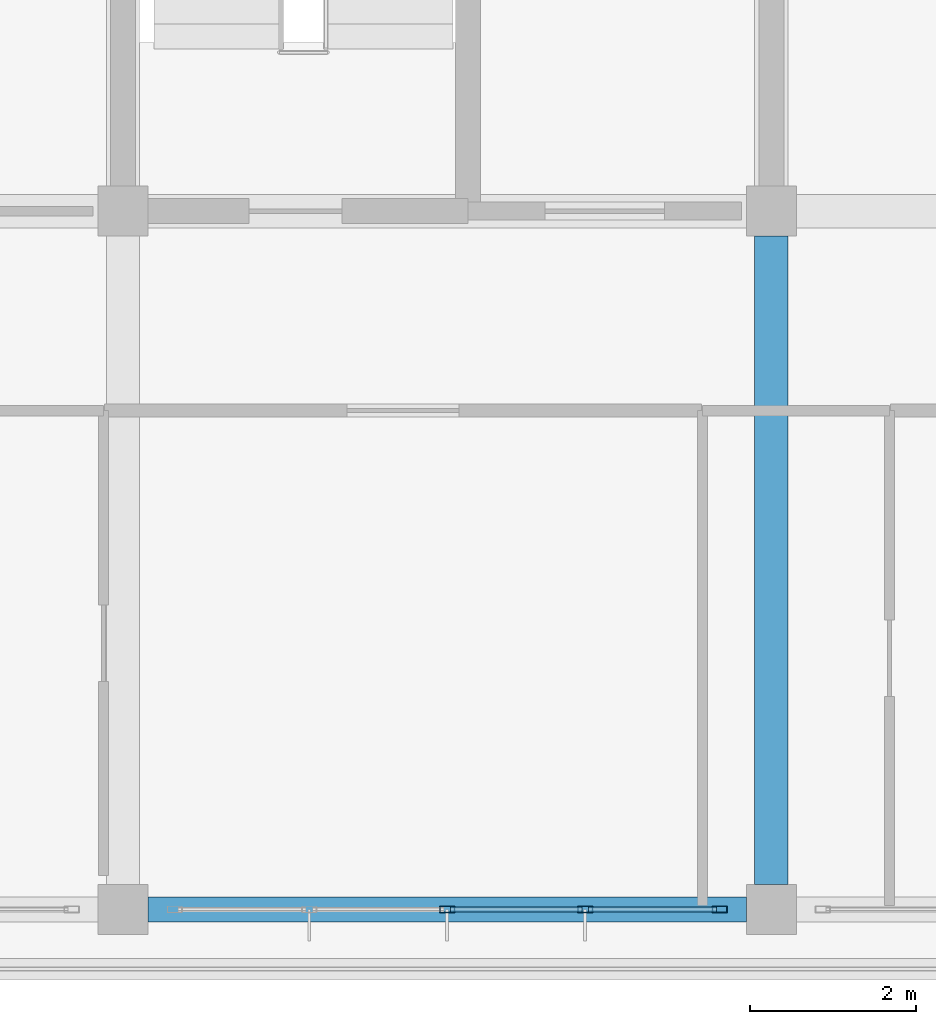
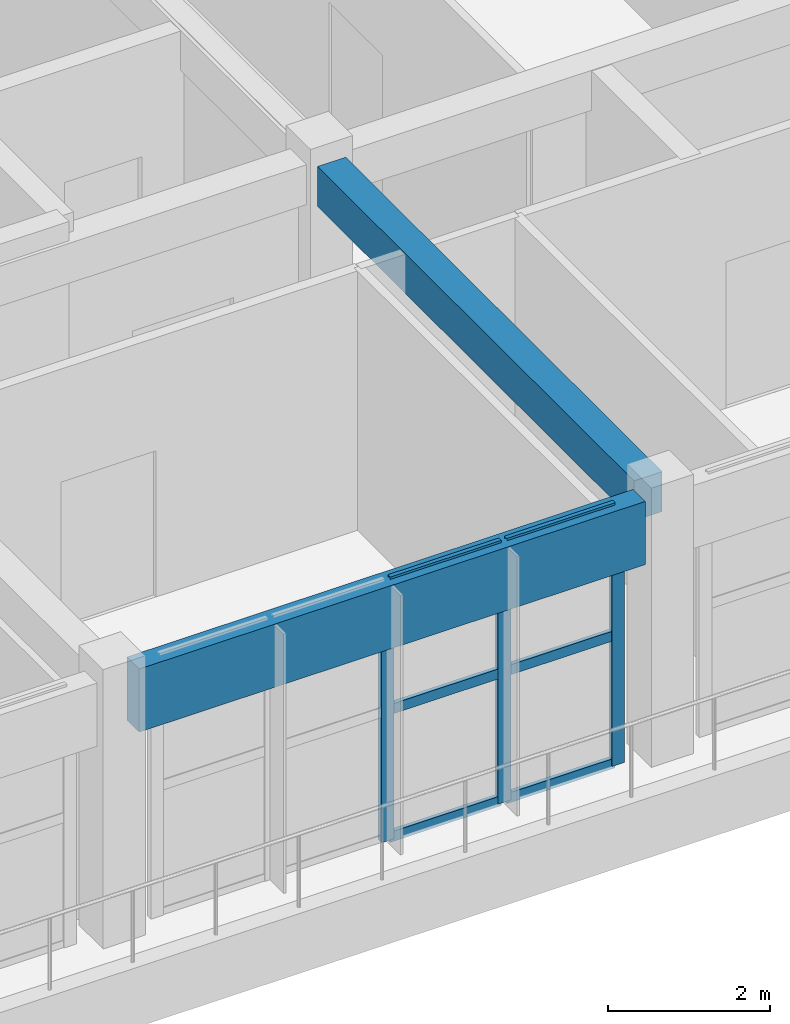
# One storey, part 12 of 50: 9 members, 2 beams, 1 element without a shape of its own.
"""IFC4 building model written with IfcOpenShell, lengths in metres."""

from ifc_helpers import new_model, si_unit, direction, frame, origin, origin_2d, place, context, subcontext, project, spatial, rectangle, hollow_rectangle, extrude, material, layer, layer_set, material_profile, profile_set, type_object, element, aggregate, save


model = new_model("IFC4")

# Units and contexts
model_context = context("Model", 3, precision=1e-05, world=origin(), true_north=direction((0.0, 1.0)))
body_context = subcontext(model_context, "Body", "Model", "MODEL_VIEW")
ifc_project = project(units=[si_unit("LENGTHUNIT", "METRE"), si_unit("AREAUNIT", "SQUARE_METRE"), si_unit("VOLUMEUNIT", "CUBIC_METRE"), si_unit("PLANEANGLEUNIT", "RADIAN"), si_unit("MASSUNIT", "GRAM", prefix="KILO")], contexts=[model_context])

# Site, building, storey
site_placement = place(None, origin())
site = spatial("IfcSite", under=ifc_project, at=site_placement, CompositionType="ELEMENT")
building_placement = place(site_placement, origin())
building = spatial("IfcBuilding", under=site, at=building_placement, Name="Zizhar Promenade General Hospital", CompositionType="ELEMENT")
storey_placement = place(building_placement, frame((0.0, 0.0, 30.60009765625)))
storey = spatial("IfcBuildingStorey", under=building, at=storey_placement, Name="L07", CompositionType="ELEMENT", Elevation=30.60009765625)

# Beams
ifc_material_1 = material(Name="Precast concrete C40/50", Category="concrete")
ifc_material_profile_1 = material_profile(ifc_material_1, rectangle(XDim=0.300048828125, YDim=0.949951171875, at=origin_2d()))
ifc_profile_set_1 = profile_set([ifc_material_profile_1], Name="Precast concrete C40/50")
beam_type_1 = type_object("IfcBeamType", Name="BM-PC-BAND950", PredefinedType="SPANDREL", material=ifc_profile_set_1)
beam_1_placement = place(storey_placement, frame((62.699951171875, 0.0, 3.434814453125), z_axis=(1.0, 0.0, 0.0), x_axis=(0.0, 1.0, 0.0)))
element("IfcBeam", 1, at=beam_1_placement, inside=storey, type_object=beam_type_1, Name="Grid Beam X L07 (8-0)", PredefinedType="SPANDREL", context=body_context, shape_type="SweptSolid", body=[
    extrude(rectangle(XDim=0.300048828125, YDim=0.949951171875, at=origin_2d()), origin(), (0.0, 0.0, 1.0), 7.199951171875),
])
ifc_material_2 = material(Name="Concrete C35/45", Category="concrete")
ifc_material_profile_2 = material_profile(ifc_material_2, rectangle(XDim=0.39990234375, YDim=0.60009765625, at=origin_2d()))
ifc_profile_set_2 = profile_set([ifc_material_profile_2], Name="Concrete C35/45")
beam_type_2 = type_object("IfcBeamType", Name="BM-RC-400x600", PredefinedType="JOIST", material=ifc_profile_set_2)
beam_2_placement = place(storey_placement, frame((70.199951171875, 0.300048828125, 3.60986328125), z_axis=(0.0, 1.0, 0.0), x_axis=(-1.0, 0.0, 0.0)))
element("IfcBeam", 2, at=beam_2_placement, inside=storey, type_object=beam_type_2, Name="Grid Beam Y L07 (9-0)", PredefinedType="JOIST", context=body_context, shape_type="SweptSolid", body=[
    extrude(rectangle(XDim=0.39990234375, YDim=0.60009765625, at=origin_2d()), origin(), (0.0, 0.0, 1.0), 7.800048828125),
])

# Curtain wall, members
ifc_material_3 = material(Name="Anodised aluminium 6063-T6 and low-E glass", Category="aluminium")
ifc_layer = layer(ifc_material_3, 0.159912109375)
ifc_layer_set = layer_set([ifc_layer], Name="Anodised aluminium 6063-T6 and low-E glass")
curtain_wall_type = type_object("IfcCurtainWallType", Name="CW-WARD-RIB", PredefinedType="NOTDEFINED", material=ifc_layer_set)
curtain_wall_placement = place(storey_placement, origin())
curtain_wall = element("IfcCurtainWall", 3, at=curtain_wall_placement, inside=storey, type_object=curtain_wall_type, Name="Ward Ribbon Curtain Wall L07-17-5", PredefinedType="NOTDEFINED")
ifc_material_4 = material(Name="Anodised aluminium 6063-T6", Category="aluminium")
ifc_material_profile_3 = material_profile(ifc_material_4, hollow_rectangle(XDim=0.080078125, YDim=0.179931640625, WallThickness=0.0048828125, at=origin_2d()))
ifc_profile_set_3 = profile_set([ifc_material_profile_3], Name="Anodised aluminium 6063-T6")
member_type_1 = type_object("IfcMemberType", Name="CWM-ALU-180x80", PredefinedType="MULLION", material=ifc_profile_set_3)
member_1_placement = place(storey_placement, frame((69.580078125, 0.0, 0.0), z_axis=(0.0, 0.0, 1.0), x_axis=(0.0, -1.0, 0.0)))
member_1 = element("IfcMember", 4, at=member_1_placement, type_object=member_type_1, Name="CW-13 mullion 1", PredefinedType="MULLION", context=body_context, shape_type="SweptSolid", body=[
    extrude(hollow_rectangle(XDim=0.080078125, YDim=0.179931640625, WallThickness=0.0048828125, at=origin_2d()), origin(), (0.0, 0.0, 1.0), 3.89990234375),
])
member_2_placement = place(storey_placement, frame((67.9599609375, 0.0, 0.0), z_axis=(0.0, 0.0, 1.0), x_axis=(0.0, -1.0, 0.0)))
member_2 = element("IfcMember", 5, at=member_2_placement, type_object=member_type_1, Name="CW-13 mullion 2", PredefinedType="MULLION", context=body_context, shape_type="SweptSolid", body=[
    extrude(hollow_rectangle(XDim=0.080078125, YDim=0.179931640625, WallThickness=0.0048828125, at=origin_2d()), origin(), (0.0, 0.0, 1.0), 3.89990234375),
])
member_3_placement = place(storey_placement, frame((66.300048828125, 0.0, 0.0), z_axis=(0.0, 0.0, 1.0), x_axis=(0.0, -1.0, 0.0)))
member_3 = element("IfcMember", 6, at=member_3_placement, type_object=member_type_1, Name="CW-13 mullion 3", PredefinedType="MULLION", context=body_context, shape_type="SweptSolid", body=[
    extrude(hollow_rectangle(XDim=0.080078125, YDim=0.179931640625, WallThickness=0.0048828125, at=origin_2d()), origin(), (0.0, 0.0, 1.0), 3.89990234375),
])
ifc_material_5 = material(Name="Anodised aluminium 6063-T6", Category="aluminium")
ifc_material_profile_4 = material_profile(ifc_material_5, hollow_rectangle(XDim=0.06005859375, YDim=0.14990234375, WallThickness=0.00390625, at=origin_2d()))
ifc_profile_set_4 = profile_set([ifc_material_profile_4], Name="Anodised aluminium 6063-T6")
member_type_2 = type_object("IfcMemberType", Name="CWT-ALU-150x60", PredefinedType="USERDEFINED", material=ifc_profile_set_4)
member_4_placement = place(storey_placement, frame((69.5400390625, 0.0, 0.02978515625), z_axis=(-1.0, 0.0, 0.0), x_axis=(0.0, -1.0, 0.0)))
member_4 = element("IfcMember", 7, at=member_4_placement, type_object=member_type_2, Name="CW-13 transom 1.1", ObjectType="TRANSOM", PredefinedType="USERDEFINED", context=body_context, shape_type="SweptSolid", body=[
    extrude(hollow_rectangle(XDim=0.06005859375, YDim=0.14990234375, WallThickness=0.00390625, at=origin_2d()), origin(), (0.0, 0.0, 1.0), 1.5400390625),
])
member_5_placement = place(storey_placement, frame((69.5400390625, 0.0, 1.949951171875), z_axis=(-1.0, 0.0, 0.0), x_axis=(0.0, -1.0, 0.0)))
member_5 = element("IfcMember", 8, at=member_5_placement, type_object=member_type_2, Name="CW-13 transom 1.2", ObjectType="TRANSOM", PredefinedType="USERDEFINED", context=body_context, shape_type="SweptSolid", body=[
    extrude(hollow_rectangle(XDim=0.06005859375, YDim=0.14990234375, WallThickness=0.00390625, at=origin_2d()), origin(), (0.0, 0.0, 1.0), 1.5400390625),
])
member_6_placement = place(storey_placement, frame((69.5400390625, 0.0, 3.869873046875), z_axis=(-1.0, 0.0, 0.0), x_axis=(0.0, -1.0, 0.0)))
member_6 = element("IfcMember", 9, at=member_6_placement, type_object=member_type_2, Name="CW-13 transom 1.3", ObjectType="TRANSOM", PredefinedType="USERDEFINED", context=body_context, shape_type="SweptSolid", body=[
    extrude(hollow_rectangle(XDim=0.06005859375, YDim=0.14990234375, WallThickness=0.00390625, at=origin_2d()), origin(), (0.0, 0.0, 1.0), 1.5400390625),
])
member_7_placement = place(storey_placement, frame((67.919921875, 0.0, 0.02978515625), z_axis=(-1.0, 0.0, 0.0), x_axis=(0.0, -1.0, 0.0)))
member_7 = element("IfcMember", 10, at=member_7_placement, type_object=member_type_2, Name="CW-13 transom 2.1", ObjectType="TRANSOM", PredefinedType="USERDEFINED", context=body_context, shape_type="SweptSolid", body=[
    extrude(hollow_rectangle(XDim=0.06005859375, YDim=0.14990234375, WallThickness=0.00390625, at=origin_2d()), origin(), (0.0, 0.0, 1.0), 1.579833984375),
])
member_8_placement = place(storey_placement, frame((67.919921875, 0.0, 1.949951171875), z_axis=(-1.0, 0.0, 0.0), x_axis=(0.0, -1.0, 0.0)))
member_8 = element("IfcMember", 11, at=member_8_placement, type_object=member_type_2, Name="CW-13 transom 2.2", ObjectType="TRANSOM", PredefinedType="USERDEFINED", context=body_context, shape_type="SweptSolid", body=[
    extrude(hollow_rectangle(XDim=0.06005859375, YDim=0.14990234375, WallThickness=0.00390625, at=origin_2d()), origin(), (0.0, 0.0, 1.0), 1.579833984375),
])
member_9_placement = place(storey_placement, frame((67.919921875, 0.0, 3.869873046875), z_axis=(-1.0, 0.0, 0.0), x_axis=(0.0, -1.0, 0.0)))
member_9 = element("IfcMember", 12, at=member_9_placement, type_object=member_type_2, Name="CW-13 transom 2.3", ObjectType="TRANSOM", PredefinedType="USERDEFINED", context=body_context, shape_type="SweptSolid", body=[
    extrude(hollow_rectangle(XDim=0.06005859375, YDim=0.14990234375, WallThickness=0.00390625, at=origin_2d()), origin(), (0.0, 0.0, 1.0), 1.579833984375),
])
aggregate(curtain_wall, [member_1, member_2, member_3, member_4, member_5, member_6, member_7, member_8, member_9])

save(model, "model.ifc")
